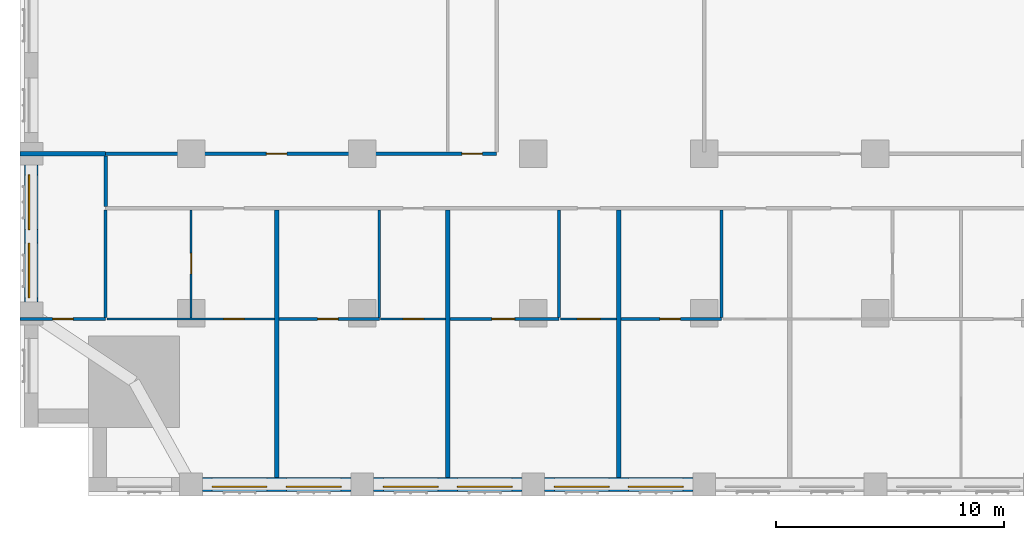
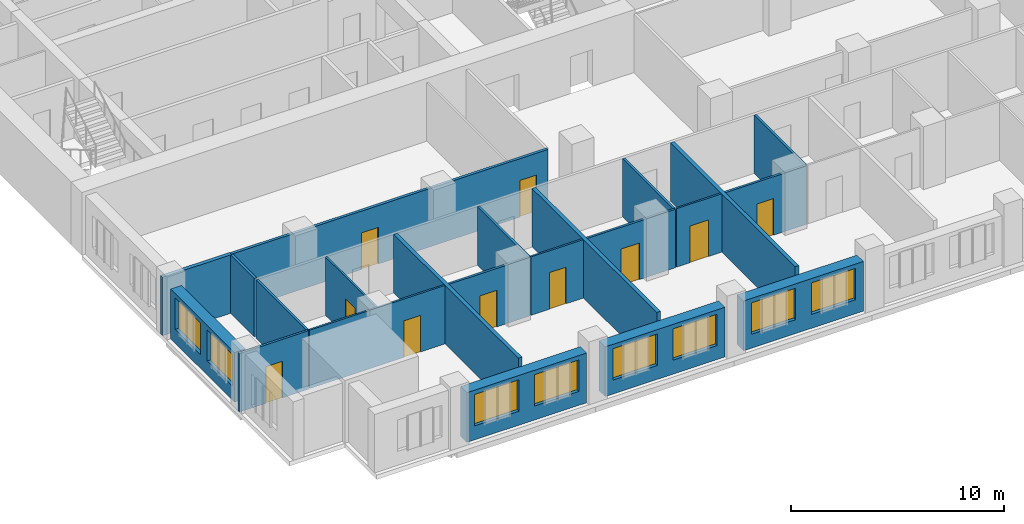
# One storey, part 4 of 14: 22 walls, 10 doors, 8 windows, 18 openings.
"""IFC4 building model written with IfcOpenShell, lengths in metres."""

from ifc_helpers import new_model, si_unit, direction, frame, frame_2d, origin, place, context, subcontext, project, spatial, rectangle, extrude, material, layer, layer_set, type_object, element, fill, save


model = new_model("IFC4")

# Units and contexts
model_context = context("Model", 3, precision=1e-05, world=origin(), true_north=direction((0.0, 1.0)))
body_context = subcontext(model_context, "Body", "Model", "MODEL_VIEW")
ifc_project = project(units=[si_unit("LENGTHUNIT", "METRE"), si_unit("AREAUNIT", "SQUARE_METRE"), si_unit("VOLUMEUNIT", "CUBIC_METRE"), si_unit("PLANEANGLEUNIT", "RADIAN"), si_unit("MASSUNIT", "GRAM", prefix="KILO")], contexts=[model_context])

# Site, building, storey
site_placement = place(None, origin())
site = spatial("IfcSite", under=ifc_project, at=site_placement, CompositionType="ELEMENT")
building_placement = place(site_placement, origin())
building = spatial("IfcBuilding", under=site, at=building_placement, Name="Tamorin Gate", CompositionType="ELEMENT")
storey_placement = place(building_placement, frame((0.0, 0.0, 66.39990234375)))
storey = spatial("IfcBuildingStorey", under=building, at=storey_placement, Name="L15", CompositionType="ELEMENT", Elevation=66.39990234375)

# Wall, openings, windows
ifc_material_1 = material(Name="Precast concrete C40/50", Category="concrete")
ifc_layer_1 = layer(ifc_material_1, 0.60009765625)
ifc_layer_set_1 = layer_set([ifc_layer_1], Name="Precast concrete C40/50")
wall_type_1 = type_object("IfcWallType", Name="Board-marked concrete facade panel 600", PredefinedType="SOLIDWALL", material=ifc_layer_set_1)
wall_1_placement = place(storey_placement, frame((38.0, 38.0, 0.0), z_axis=(0.0, 0.0, 1.0), x_axis=(1.0, 0.0, 0.0)))
wall_1 = element("IfcWall", 1, at=wall_1_placement, inside=storey, type_object=wall_type_1, Name="Facade panel", PredefinedType="SOLIDWALL", context=body_context, shape_type="SweptSolid", body=[
    extrude(rectangle(XDim=6.5, YDim=0.60009765625, at=frame_2d((3.25, 0.0))), origin(), (0.0, 0.0, 1.0), 2.85009765625),
])
opening_1_placement = place(wall_1_placement, frame((0.425048828125, 0.0, 0.800048828125)))
opening_1 = element("IfcOpeningElement", 2, at=opening_1_placement, cuts=wall_1, Name="Opening WN1", PredefinedType="OPENING", context=body_context, shape_type="SweptSolid", body=[
    extrude(rectangle(XDim=2.39990234375, YDim=1.800048828125, at=frame_2d((1.199951171875, 0.89990234375))), frame((0.0, 0.31005859375, 0.0), z_axis=(0.0, -1.0, 0.0), x_axis=(1.0, 0.0, 0.0)), (0.0, 0.0, 1.0), 0.6201171875),
])
opening_2_placement = place(wall_1_placement, frame((3.675048828125, 0.0, 0.800048828125)))
opening_2 = element("IfcOpeningElement", 3, at=opening_2_placement, cuts=wall_1, Name="Opening WN1", PredefinedType="OPENING", context=body_context, shape_type="SweptSolid", body=[
    extrude(rectangle(XDim=2.39990234375, YDim=1.800048828125, at=frame_2d((1.199951171875, 0.89990234375))), frame((0.0, 0.31005859375, 0.0), z_axis=(0.0, -1.0, 0.0), x_axis=(1.0, 0.0, 0.0)), (0.0, 0.0, 1.0), 0.6201171875),
])
ifc_material_2 = material(Name="Clear glass in aluminium frame", Category="aluminium")
window_type = type_object("IfcWindowType", Name="Deep-set window 2400x1800", PartitioningType="SINGLE_PANEL", PredefinedType="WINDOW", material=ifc_material_2)
window_1_placement = place(opening_1_placement, origin())
window_1 = element("IfcWindow", 4, at=window_1_placement, inside=storey, type_object=window_type, Name="Deep-set window", OverallHeight=1.800048828125, OverallWidth=2.39990234375, PartitioningType="SINGLE_PANEL", PredefinedType="WINDOW", context=body_context, shape_type="SweptSolid", body=[
    extrude(rectangle(XDim=2.39990234375, YDim=1.800048828125, at=frame_2d((1.199951171875, 0.89990234375))), frame((0.0, -0.070068359375, 0.0), z_axis=(0.0, -1.0, 0.0), x_axis=(1.0, 0.0, 0.0)), (0.0, 0.0, 1.0), 0.06005859375),
])
fill(opening_1, window_1)
window_2_placement = place(opening_2_placement, origin())
window_2 = element("IfcWindow", 5, at=window_2_placement, inside=storey, type_object=window_type, Name="Deep-set window", OverallHeight=1.800048828125, OverallWidth=2.39990234375, PartitioningType="SINGLE_PANEL", PredefinedType="WINDOW", context=body_context, shape_type="SweptSolid", body=[
    extrude(rectangle(XDim=2.39990234375, YDim=1.800048828125, at=frame_2d((1.199951171875, 0.89990234375))), frame((0.0, -0.070068359375, 0.0), z_axis=(0.0, -1.0, 0.0), x_axis=(1.0, 0.0, 0.0)), (0.0, 0.0, 1.0), 0.06005859375),
])
fill(opening_2, window_2)

wall_2_placement = place(storey_placement, frame((45.5, 38.0, 0.0), z_axis=(0.0, 0.0, 1.0), x_axis=(1.0, 0.0, 0.0)))
wall_2 = element("IfcWall", 6, at=wall_2_placement, inside=storey, type_object=wall_type_1, Name="Facade panel", PredefinedType="SOLIDWALL", context=body_context, shape_type="SweptSolid", body=[
    extrude(rectangle(XDim=6.5, YDim=0.60009765625, at=frame_2d((3.25, 0.0))), origin(), (0.0, 0.0, 1.0), 2.85009765625),
])
opening_3_placement = place(wall_2_placement, frame((0.425048828125, 0.0, 0.800048828125)))
opening_3 = element("IfcOpeningElement", 7, at=opening_3_placement, cuts=wall_2, Name="Opening WN1", PredefinedType="OPENING", context=body_context, shape_type="SweptSolid", body=[
    extrude(rectangle(XDim=2.39990234375, YDim=1.800048828125, at=frame_2d((1.199951171875, 0.89990234375))), frame((0.0, 0.31005859375, 0.0), z_axis=(0.0, -1.0, 0.0), x_axis=(1.0, 0.0, 0.0)), (0.0, 0.0, 1.0), 0.6201171875),
])
opening_4_placement = place(wall_2_placement, frame((3.675048828125, 0.0, 0.800048828125)))
opening_4 = element("IfcOpeningElement", 8, at=opening_4_placement, cuts=wall_2, Name="Opening WN1", PredefinedType="OPENING", context=body_context, shape_type="SweptSolid", body=[
    extrude(rectangle(XDim=2.39990234375, YDim=1.800048828125, at=frame_2d((1.199951171875, 0.89990234375))), frame((0.0, 0.31005859375, 0.0), z_axis=(0.0, -1.0, 0.0), x_axis=(1.0, 0.0, 0.0)), (0.0, 0.0, 1.0), 0.6201171875),
])
window_3_placement = place(opening_3_placement, origin())
window_3 = element("IfcWindow", 9, at=window_3_placement, inside=storey, type_object=window_type, Name="Deep-set window", OverallHeight=1.800048828125, OverallWidth=2.39990234375, PartitioningType="SINGLE_PANEL", PredefinedType="WINDOW", context=body_context, shape_type="SweptSolid", body=[
    extrude(rectangle(XDim=2.39990234375, YDim=1.800048828125, at=frame_2d((1.199951171875, 0.89990234375))), frame((0.0, -0.070068359375, 0.0), z_axis=(0.0, -1.0, 0.0), x_axis=(1.0, 0.0, 0.0)), (0.0, 0.0, 1.0), 0.06005859375),
])
fill(opening_3, window_3)
window_4_placement = place(opening_4_placement, origin())
window_4 = element("IfcWindow", 10, at=window_4_placement, inside=storey, type_object=window_type, Name="Deep-set window", OverallHeight=1.800048828125, OverallWidth=2.39990234375, PartitioningType="SINGLE_PANEL", PredefinedType="WINDOW", context=body_context, shape_type="SweptSolid", body=[
    extrude(rectangle(XDim=2.39990234375, YDim=1.800048828125, at=frame_2d((1.199951171875, 0.89990234375))), frame((0.0, -0.070068359375, 0.0), z_axis=(0.0, -1.0, 0.0), x_axis=(1.0, 0.0, 0.0)), (0.0, 0.0, 1.0), 0.06005859375),
])
fill(opening_4, window_4)

wall_3_placement = place(storey_placement, frame((53.0, 38.0, 0.0), z_axis=(0.0, 0.0, 1.0), x_axis=(1.0, 0.0, 0.0)))
wall_3 = element("IfcWall", 11, at=wall_3_placement, inside=storey, type_object=wall_type_1, Name="Facade panel", PredefinedType="SOLIDWALL", context=body_context, shape_type="SweptSolid", body=[
    extrude(rectangle(XDim=6.5, YDim=0.60009765625, at=frame_2d((3.25, 0.0))), origin(), (0.0, 0.0, 1.0), 2.85009765625),
])
opening_5_placement = place(wall_3_placement, frame((0.425048828125, 0.0, 0.800048828125)))
opening_5 = element("IfcOpeningElement", 12, at=opening_5_placement, cuts=wall_3, Name="Opening WN1", PredefinedType="OPENING", context=body_context, shape_type="SweptSolid", body=[
    extrude(rectangle(XDim=2.39990234375, YDim=1.800048828125, at=frame_2d((1.199951171875, 0.89990234375))), frame((0.0, 0.31005859375, 0.0), z_axis=(0.0, -1.0, 0.0), x_axis=(1.0, 0.0, 0.0)), (0.0, 0.0, 1.0), 0.6201171875),
])
opening_6_placement = place(wall_3_placement, frame((3.675048828125, 0.0, 0.800048828125)))
opening_6 = element("IfcOpeningElement", 13, at=opening_6_placement, cuts=wall_3, Name="Opening WN1", PredefinedType="OPENING", context=body_context, shape_type="SweptSolid", body=[
    extrude(rectangle(XDim=2.39990234375, YDim=1.800048828125, at=frame_2d((1.199951171875, 0.89990234375))), frame((0.0, 0.31005859375, 0.0), z_axis=(0.0, -1.0, 0.0), x_axis=(1.0, 0.0, 0.0)), (0.0, 0.0, 1.0), 0.6201171875),
])
window_5_placement = place(opening_5_placement, origin())
window_5 = element("IfcWindow", 14, at=window_5_placement, inside=storey, type_object=window_type, Name="Deep-set window", OverallHeight=1.800048828125, OverallWidth=2.39990234375, PartitioningType="SINGLE_PANEL", PredefinedType="WINDOW", context=body_context, shape_type="SweptSolid", body=[
    extrude(rectangle(XDim=2.39990234375, YDim=1.800048828125, at=frame_2d((1.199951171875, 0.89990234375))), frame((0.0, -0.070068359375, 0.0), z_axis=(0.0, -1.0, 0.0), x_axis=(1.0, 0.0, 0.0)), (0.0, 0.0, 1.0), 0.06005859375),
])
fill(opening_5, window_5)
window_6_placement = place(opening_6_placement, origin())
window_6 = element("IfcWindow", 15, at=window_6_placement, inside=storey, type_object=window_type, Name="Deep-set window", OverallHeight=1.800048828125, OverallWidth=2.39990234375, PartitioningType="SINGLE_PANEL", PredefinedType="WINDOW", context=body_context, shape_type="SweptSolid", body=[
    extrude(rectangle(XDim=2.39990234375, YDim=1.800048828125, at=frame_2d((1.199951171875, 0.89990234375))), frame((0.0, -0.070068359375, 0.0), z_axis=(0.0, -1.0, 0.0), x_axis=(1.0, 0.0, 0.0)), (0.0, 0.0, 1.0), 0.06005859375),
])
fill(opening_6, window_6)

wall_4_placement = place(storey_placement, frame((30.5, 52.0, 0.0), z_axis=(0.0, 0.0, 1.0), x_axis=(0.0, -1.0, 0.0)))
wall_4 = element("IfcWall", 16, at=wall_4_placement, inside=storey, type_object=wall_type_1, Name="Facade panel", PredefinedType="SOLIDWALL", context=body_context, shape_type="SweptSolid", body=[
    extrude(rectangle(XDim=6.0, YDim=0.60009765625, at=frame_2d((3.0, 0.0))), origin(), (0.0, 0.0, 1.0), 2.85009765625),
])
opening_7_placement = place(wall_4_placement, frame((3.425048828125, 0.0, 0.800048828125)))
opening_7 = element("IfcOpeningElement", 17, at=opening_7_placement, cuts=wall_4, Name="Opening WN1", PredefinedType="OPENING", context=body_context, shape_type="SweptSolid", body=[
    extrude(rectangle(XDim=2.39990234375, YDim=1.800048828125, at=frame_2d((1.199951171875, 0.89990234375))), frame((0.0, 0.31005859375, 0.0), z_axis=(0.0, -1.0, 0.0), x_axis=(1.0, 0.0, 0.0)), (0.0, 0.0, 1.0), 0.6201171875),
])
opening_8_placement = place(wall_4_placement, frame((0.425048828125, 0.0, 0.800048828125)))
opening_8 = element("IfcOpeningElement", 18, at=opening_8_placement, cuts=wall_4, Name="Opening WN1", PredefinedType="OPENING", context=body_context, shape_type="SweptSolid", body=[
    extrude(rectangle(XDim=2.39990234375, YDim=1.800048828125, at=frame_2d((1.199951171875, 0.89990234375))), frame((0.0, 0.31005859375, 0.0), z_axis=(0.0, -1.0, 0.0), x_axis=(1.0, 0.0, 0.0)), (0.0, 0.0, 1.0), 0.6201171875),
])
window_7_placement = place(opening_7_placement, origin())
window_7 = element("IfcWindow", 19, at=window_7_placement, inside=storey, type_object=window_type, Name="Deep-set window", OverallHeight=1.800048828125, OverallWidth=2.39990234375, PartitioningType="SINGLE_PANEL", PredefinedType="WINDOW", context=body_context, shape_type="SweptSolid", body=[
    extrude(rectangle(XDim=2.39990234375, YDim=1.800048828125, at=frame_2d((1.199951171875, 0.89990234375))), frame((0.0, -0.070068359375, 0.0), z_axis=(0.0, -1.0, 0.0), x_axis=(1.0, 0.0, 0.0)), (0.0, 0.0, 1.0), 0.06005859375),
])
fill(opening_7, window_7)
window_8_placement = place(opening_8_placement, origin())
window_8 = element("IfcWindow", 20, at=window_8_placement, inside=storey, type_object=window_type, Name="Deep-set window", OverallHeight=1.800048828125, OverallWidth=2.39990234375, PartitioningType="SINGLE_PANEL", PredefinedType="WINDOW", context=body_context, shape_type="SweptSolid", body=[
    extrude(rectangle(XDim=2.39990234375, YDim=1.800048828125, at=frame_2d((1.199951171875, 0.89990234375))), frame((0.0, -0.070068359375, 0.0), z_axis=(0.0, -1.0, 0.0), x_axis=(1.0, 0.0, 0.0)), (0.0, 0.0, 1.0), 0.06005859375),
])
fill(opening_8, window_8)

# Wall, openings, doors
ifc_material_3 = material(Name="Gypsum board partition")
ifc_layer_2 = layer(ifc_material_3, 0.14990234375)
ifc_layer_set_2 = layer_set([ifc_layer_2], Name="Corridor wall 150")
wall_type_2 = type_object("IfcWallType", Name="Corridor wall 150", PredefinedType="PARTITIONING", material=ifc_layer_set_2)
wall_5_placement = place(storey_placement, frame((33.75, 52.5, 0.0), z_axis=(0.0, 0.0, 1.0), x_axis=(1.0, 0.0, 0.0)))
wall_5 = element("IfcWall", 21, at=wall_5_placement, inside=storey, type_object=wall_type_2, Name="Corridor wall 150", PredefinedType="PARTITIONING", context=body_context, shape_type="SweptSolid", body=[
    extrude(rectangle(XDim=17.14990234375, YDim=0.14990234375, at=frame_2d((8.574951171875, 0.0))), origin(), (0.0, 0.0, 1.0), 3.35009765625),
])
opening_9_placement = place(wall_5_placement, frame((7.050048828125, 0.0, 0.0)))
opening_9 = element("IfcOpeningElement", 22, at=opening_9_placement, cuts=wall_5, Name="Opening DH2067", PredefinedType="OPENING", context=body_context, shape_type="SweptSolid", body=[
    extrude(rectangle(XDim=0.89990234375, YDim=2.10009765625, at=frame_2d((0.449951171875, 1.050048828125))), frame((0.0, 0.0849609375, 0.0), z_axis=(0.0, -1.0, 0.0), x_axis=(1.0, 0.0, 0.0)), (0.0, 0.0, 1.0), 0.169921875),
])
opening_10_placement = place(wall_5_placement, frame((15.625, 0.0, 0.0)))
opening_10 = element("IfcOpeningElement", 23, at=opening_10_placement, cuts=wall_5, Name="Opening DH2068", PredefinedType="OPENING", context=body_context, shape_type="SweptSolid", body=[
    extrude(rectangle(XDim=0.89990234375, YDim=2.10009765625, at=frame_2d((0.449951171875, 1.050048828125))), frame((0.0, 0.0849609375, 0.0), z_axis=(0.0, -1.0, 0.0), x_axis=(1.0, 0.0, 0.0)), (0.0, 0.0, 1.0), 0.169921875),
])
ifc_material_4 = material(Name="Timber door leaf", Category="wood")
door_type_1 = type_object("IfcDoorType", Name="Door 900 x 2100 FD30S", OperationType="NOTDEFINED", PredefinedType="DOOR", material=ifc_material_4)
door_1_placement = place(opening_9_placement, origin())
door_1 = element("IfcDoor", 24, at=door_1_placement, inside=storey, type_object=door_type_1, Name="Door DH2067", OperationType="SINGLE_SWING_LEFT", OverallHeight=2.10009765625, OverallWidth=0.89990234375, PredefinedType="DOOR", context=body_context, shape_type="SweptSolid", body=[
    extrude(rectangle(XDim=0.89990234375, YDim=2.10009765625, at=frame_2d((0.449951171875, 1.050048828125))), frame((0.0, 0.02490234375, 0.0), z_axis=(0.0, -1.0, 0.0), x_axis=(1.0, 0.0, 0.0)), (0.0, 0.0, 1.0), 0.050048828125),
])
fill(opening_9, door_1)
door_2_placement = place(opening_10_placement, origin())
door_2 = element("IfcDoor", 25, at=door_2_placement, inside=storey, type_object=door_type_1, Name="Door DH2068", OperationType="SINGLE_SWING_LEFT", OverallHeight=2.10009765625, OverallWidth=0.89990234375, PredefinedType="DOOR", context=body_context, shape_type="SweptSolid", body=[
    extrude(rectangle(XDim=0.89990234375, YDim=2.10009765625, at=frame_2d((0.449951171875, 1.050048828125))), frame((0.0, 0.02490234375, 0.0), z_axis=(0.0, -1.0, 0.0), x_axis=(1.0, 0.0, 0.0)), (0.0, 0.0, 1.0), 0.050048828125),
])
fill(opening_10, door_2)

# Walls
wall_6_placement = place(storey_placement, frame((33.75, 50.175048828125, 0.0), z_axis=(0.0, 0.0, 1.0), x_axis=(0.0, 1.0, 0.0)))
element("IfcWall", 26, at=wall_6_placement, inside=storey, type_object=wall_type_2, Name="Corridor wall 150", PredefinedType="PARTITIONING", context=body_context, shape_type="SweptSolid", body=[
    extrude(rectangle(XDim=2.224853515625, YDim=0.14990234375, at=frame_2d((1.1123046875, 0.0))), origin(), (0.0, 0.0, 1.0), 3.35009765625),
])
ifc_layer_3 = layer(ifc_material_3, 0.199951171875)
ifc_layer_set_3 = layer_set([ifc_layer_3], Name="Demising wall 200")
wall_type_3 = type_object("IfcWallType", Name="Demising wall 200", PredefinedType="PARTITIONING", material=ifc_layer_set_3)
wall_7_placement = place(storey_placement, frame((30.0, 52.5, 0.0), z_axis=(0.0, 0.0, 1.0), x_axis=(1.0, 0.0, 0.0)))
element("IfcWall", 27, at=wall_7_placement, inside=storey, type_object=wall_type_3, Name="Demising wall 200", PredefinedType="PARTITIONING", context=body_context, shape_type="SweptSolid", body=[
    extrude(rectangle(XDim=3.75, YDim=0.199951171875, at=frame_2d((1.875, 0.0))), origin(), (0.0, 0.0, 1.0), 3.35009765625),
])
for number, where, z_axis, x_axis, name in (
    (28, (41.25, 38.31005859375, 0.0), (0.0, 0.0, 1.0), (0.0, 1.0, 0.0), "Demising wall 200"),
    (29, (48.75, 38.31005859375, 0.0), (0.0, 0.0, 1.0), (0.0, 1.0, 0.0), "Demising wall 200"),
    (30, (56.25, 38.31005859375, 0.0), (0.0, 0.0, 1.0), (0.0, 1.0, 0.0), "Demising wall 200"),
):
    element("IfcWall", number, at=place(storey_placement, frame(where, z_axis=z_axis, x_axis=x_axis)), inside=storey, type_object=wall_type_3, Name=name, PredefinedType="PARTITIONING", context=body_context, shape_type="SweptSolid", body=[
        extrude(rectangle(XDim=11.71484375, YDim=0.199951171875, at=frame_2d((5.857421875, 0.0))), origin(), (0.0, 0.0, 1.0), 3.35009765625),
    ])

# Wall, opening, door
ifc_layer_4 = layer(ifc_material_3, 0.10009765625)
ifc_layer_set_4 = layer_set([ifc_layer_4], Name="Room partition 100")
wall_type_4 = type_object("IfcWallType", Name="Room partition 100", PredefinedType="PARTITIONING", material=ifc_layer_set_4)
wall_8_placement = place(storey_placement, frame((33.8125, 45.25, 0.0), z_axis=(0.0, 0.0, 1.0), x_axis=(1.0, 0.0, 0.0)))
wall_8 = element("IfcWall", 31, at=wall_8_placement, inside=storey, type_object=wall_type_4, Name="Room partition 100", PredefinedType="PARTITIONING", context=body_context, shape_type="SweptSolid", body=[
    extrude(rectangle(XDim=7.33740234375, YDim=0.10009765625, at=frame_2d((3.668701171875, 0.0))), origin(), (0.0, 0.0, 1.0), 3.35009765625),
])
opening_11_placement = place(wall_8_placement, frame((5.112548828125, 0.0, 0.0)))
opening_11 = element("IfcOpeningElement", 32, at=opening_11_placement, cuts=wall_8, Name="Opening DH2004", PredefinedType="OPENING", context=body_context, shape_type="SweptSolid", body=[
    extrude(rectangle(XDim=0.89990234375, YDim=2.10009765625, at=frame_2d((0.449951171875, 1.050048828125))), frame((0.0, 0.06005859375, 0.0), z_axis=(0.0, -1.0, 0.0), x_axis=(1.0, 0.0, 0.0)), (0.0, 0.0, 1.0), 0.1201171875),
])
door_type_2 = type_object("IfcDoorType", Name="Door 900 x 2100", OperationType="NOTDEFINED", PredefinedType="DOOR", material=ifc_material_4)
door_3_placement = place(opening_11_placement, origin())
door_3 = element("IfcDoor", 33, at=door_3_placement, inside=storey, type_object=door_type_2, Name="Door DH2004", OperationType="SINGLE_SWING_LEFT", OverallHeight=2.10009765625, OverallWidth=0.89990234375, PredefinedType="DOOR", context=body_context, shape_type="SweptSolid", body=[
    extrude(rectangle(XDim=0.89990234375, YDim=2.10009765625, at=frame_2d((0.449951171875, 1.050048828125))), frame((0.0, 0.02490234375, 0.0), z_axis=(0.0, -1.0, 0.0), x_axis=(1.0, 0.0, 0.0)), (0.0, 0.0, 1.0), 0.050048828125),
])
fill(opening_11, door_3)

wall_9_placement = place(storey_placement, frame((45.8125, 45.25, 0.0), z_axis=(0.0, 0.0, 1.0), x_axis=(1.0, 0.0, 0.0)))
wall_9 = element("IfcWall", 34, at=wall_9_placement, inside=storey, type_object=wall_type_4, Name="Room partition 100", PredefinedType="PARTITIONING", context=body_context, shape_type="SweptSolid", body=[
    extrude(rectangle(XDim=2.83740234375, YDim=0.10009765625, at=frame_2d((1.418701171875, 0.0))), origin(), (0.0, 0.0, 1.0), 3.35009765625),
])
opening_12_placement = place(wall_9_placement, frame((0.987548828125, 0.0, 0.0)))
opening_12 = element("IfcOpeningElement", 35, at=opening_12_placement, cuts=wall_9, Name="Opening DH2007", PredefinedType="OPENING", context=body_context, shape_type="SweptSolid", body=[
    extrude(rectangle(XDim=0.89990234375, YDim=2.10009765625, at=frame_2d((0.449951171875, 1.050048828125))), frame((0.0, 0.06005859375, 0.0), z_axis=(0.0, -1.0, 0.0), x_axis=(1.0, 0.0, 0.0)), (0.0, 0.0, 1.0), 0.1201171875),
])
door_4_placement = place(opening_12_placement, origin())
door_4 = element("IfcDoor", 36, at=door_4_placement, inside=storey, type_object=door_type_2, Name="Door DH2007", OperationType="SINGLE_SWING_LEFT", OverallHeight=2.10009765625, OverallWidth=0.89990234375, PredefinedType="DOOR", context=body_context, shape_type="SweptSolid", body=[
    extrude(rectangle(XDim=0.89990234375, YDim=2.10009765625, at=frame_2d((0.449951171875, 1.050048828125))), frame((0.0, 0.02490234375, 0.0), z_axis=(0.0, -1.0, 0.0), x_axis=(1.0, 0.0, 0.0)), (0.0, 0.0, 1.0), 0.050048828125),
])
fill(opening_12, door_4)

wall_10_placement = place(storey_placement, frame((53.6875, 45.25, 0.0), z_axis=(0.0, 0.0, 1.0), x_axis=(1.0, 0.0, 0.0)))
wall_10 = element("IfcWall", 37, at=wall_10_placement, inside=storey, type_object=wall_type_4, Name="Room partition 100", PredefinedType="PARTITIONING", context=body_context, shape_type="SweptSolid", body=[
    extrude(rectangle(XDim=2.46240234375, YDim=0.10009765625, at=frame_2d((1.231201171875, 0.0))), origin(), (0.0, 0.0, 1.0), 3.35009765625),
])
opening_13_placement = place(wall_10_placement, frame((0.75, 0.0, 0.0)))
opening_13 = element("IfcOpeningElement", 38, at=opening_13_placement, cuts=wall_10, Name="Opening DH2010", PredefinedType="OPENING", context=body_context, shape_type="SweptSolid", body=[
    extrude(rectangle(XDim=1.0, YDim=2.10009765625, at=frame_2d((0.5, 1.050048828125))), frame((0.0, 0.06005859375, 0.0), z_axis=(0.0, -1.0, 0.0), x_axis=(1.0, 0.0, 0.0)), (0.0, 0.0, 1.0), 0.1201171875),
])
door_type_3 = type_object("IfcDoorType", Name="Door 1000 x 2100", OperationType="NOTDEFINED", PredefinedType="DOOR", material=ifc_material_4)
door_5_placement = place(opening_13_placement, origin())
door_5 = element("IfcDoor", 39, at=door_5_placement, inside=storey, type_object=door_type_3, Name="Door DH2010", OperationType="SINGLE_SWING_LEFT", OverallHeight=2.10009765625, OverallWidth=1.0, PredefinedType="DOOR", context=body_context, shape_type="SweptSolid", body=[
    extrude(rectangle(XDim=1.0, YDim=2.10009765625, at=frame_2d((0.5, 1.050048828125))), frame((0.0, 0.02490234375, 0.0), z_axis=(0.0, -1.0, 0.0), x_axis=(1.0, 0.0, 0.0)), (0.0, 0.0, 1.0), 0.050048828125),
])
fill(opening_13, door_5)

wall_11_placement = place(storey_placement, frame((37.5, 45.300048828125, 0.0), z_axis=(0.0, 0.0, 1.0), x_axis=(0.0, 1.0, 0.0)))
wall_11 = element("IfcWall", 40, at=wall_11_placement, inside=storey, type_object=wall_type_4, Name="Room partition 100", PredefinedType="PARTITIONING", context=body_context, shape_type="SweptSolid", body=[
    extrude(rectangle(XDim=4.724853515625, YDim=0.10009765625, at=frame_2d((2.3623046875, 0.0))), origin(), (0.0, 0.0, 1.0), 3.35009765625),
])
opening_14_placement = place(wall_11_placement, frame((1.925048828125, 0.0, 0.0)))
opening_14 = element("IfcOpeningElement", 41, at=opening_14_placement, cuts=wall_11, Name="Opening DH2002", PredefinedType="OPENING", context=body_context, shape_type="SweptSolid", body=[
    extrude(rectangle(XDim=0.89990234375, YDim=2.10009765625, at=frame_2d((0.449951171875, 1.050048828125))), frame((0.0, 0.06005859375, 0.0), z_axis=(0.0, -1.0, 0.0), x_axis=(1.0, 0.0, 0.0)), (0.0, 0.0, 1.0), 0.1201171875),
])
door_6_placement = place(opening_14_placement, origin())
door_6 = element("IfcDoor", 42, at=door_6_placement, inside=storey, type_object=door_type_2, Name="Door DH2002", OperationType="SINGLE_SWING_RIGHT", OverallHeight=2.10009765625, OverallWidth=0.89990234375, PredefinedType="DOOR", context=body_context, shape_type="SweptSolid", body=[
    extrude(rectangle(XDim=0.89990234375, YDim=2.10009765625, at=frame_2d((0.449951171875, 1.050048828125))), frame((0.0, 0.02490234375, 0.0), z_axis=(0.0, -1.0, 0.0), x_axis=(1.0, 0.0, 0.0)), (0.0, 0.0, 1.0), 0.050048828125),
])
fill(opening_14, door_6)

ifc_layer_5 = layer(ifc_material_3, 0.125)
ifc_layer_set_5 = layer_set([ifc_layer_5], Name="Wet wall 125")
wall_type_5 = type_object("IfcWallType", Name="Wet wall 125", PredefinedType="PARTITIONING", material=ifc_layer_set_5)
wall_12_placement = place(storey_placement, frame((30.0, 45.25, 0.0), z_axis=(0.0, 0.0, 1.0), x_axis=(1.0, 0.0, 0.0)))
wall_12 = element("IfcWall", 43, at=wall_12_placement, inside=storey, type_object=wall_type_5, Name="Wet wall 125", PredefinedType="PARTITIONING", context=body_context, shape_type="SweptSolid", body=[
    extrude(rectangle(XDim=3.75, YDim=0.125, at=frame_2d((1.875, 0.0))), origin(), (0.0, 0.0, 1.0), 3.35009765625),
])
opening_15_placement = place(wall_12_placement, frame((1.425048828125, 0.0, 0.0)))
opening_15 = element("IfcOpeningElement", 44, at=opening_15_placement, cuts=wall_12, Name="Opening DH2001", PredefinedType="OPENING", context=body_context, shape_type="SweptSolid", body=[
    extrude(rectangle(XDim=0.89990234375, YDim=2.10009765625, at=frame_2d((0.449951171875, 1.050048828125))), frame((0.0, 0.072509765625, 0.0), z_axis=(0.0, -1.0, 0.0), x_axis=(1.0, 0.0, 0.0)), (0.0, 0.0, 1.0), 0.14501953125),
])
door_7_placement = place(opening_15_placement, origin())
door_7 = element("IfcDoor", 45, at=door_7_placement, inside=storey, type_object=door_type_2, Name="Door DH2001", OperationType="SINGLE_SWING_LEFT", OverallHeight=2.10009765625, OverallWidth=0.89990234375, PredefinedType="DOOR", context=body_context, shape_type="SweptSolid", body=[
    extrude(rectangle(XDim=0.89990234375, YDim=2.10009765625, at=frame_2d((0.449951171875, 1.050048828125))), frame((0.0, 0.02490234375, 0.0), z_axis=(0.0, -1.0, 0.0), x_axis=(1.0, 0.0, 0.0)), (0.0, 0.0, 1.0), 0.050048828125),
])
fill(opening_15, door_7)

wall_13_placement = place(storey_placement, frame((41.35009765625, 45.25, 0.0), z_axis=(0.0, 0.0, 1.0), x_axis=(1.0, 0.0, 0.0)))
wall_13 = element("IfcWall", 46, at=wall_13_placement, inside=storey, type_object=wall_type_5, Name="Wet wall 125", PredefinedType="PARTITIONING", context=body_context, shape_type="SweptSolid", body=[
    extrude(rectangle(XDim=4.39990234375, YDim=0.125, at=frame_2d((2.199951171875, 0.0))), origin(), (0.0, 0.0, 1.0), 3.35009765625),
])
opening_16_placement = place(wall_13_placement, frame((1.699951171875, 0.0, 0.0)))
opening_16 = element("IfcOpeningElement", 47, at=opening_16_placement, cuts=wall_13, Name="Opening DH2005", PredefinedType="OPENING", context=body_context, shape_type="SweptSolid", body=[
    extrude(rectangle(XDim=0.89990234375, YDim=2.10009765625, at=frame_2d((0.449951171875, 1.050048828125))), frame((0.0, 0.072509765625, 0.0), z_axis=(0.0, -1.0, 0.0), x_axis=(1.0, 0.0, 0.0)), (0.0, 0.0, 1.0), 0.14501953125),
])
door_8_placement = place(opening_16_placement, origin())
door_8 = element("IfcDoor", 48, at=door_8_placement, inside=storey, type_object=door_type_2, Name="Door DH2005", OperationType="SINGLE_SWING_LEFT", OverallHeight=2.10009765625, OverallWidth=0.89990234375, PredefinedType="DOOR", context=body_context, shape_type="SweptSolid", body=[
    extrude(rectangle(XDim=0.89990234375, YDim=2.10009765625, at=frame_2d((0.449951171875, 1.050048828125))), frame((0.0, 0.02490234375, 0.0), z_axis=(0.0, -1.0, 0.0), x_axis=(1.0, 0.0, 0.0)), (0.0, 0.0, 1.0), 0.050048828125),
])
fill(opening_16, door_8)

wall_14_placement = place(storey_placement, frame((48.85009765625, 45.25, 0.0), z_axis=(0.0, 0.0, 1.0), x_axis=(1.0, 0.0, 0.0)))
wall_14 = element("IfcWall", 49, at=wall_14_placement, inside=storey, type_object=wall_type_5, Name="Wet wall 125", PredefinedType="PARTITIONING", context=body_context, shape_type="SweptSolid", body=[
    extrude(rectangle(XDim=4.77490234375, YDim=0.125, at=frame_2d((2.387451171875, 0.0))), origin(), (0.0, 0.0, 1.0), 3.35009765625),
])
opening_17_placement = place(wall_14_placement, frame((1.83740234375, 0.0, 0.0)))
opening_17 = element("IfcOpeningElement", 50, at=opening_17_placement, cuts=wall_14, Name="Opening DH2008", PredefinedType="OPENING", context=body_context, shape_type="SweptSolid", body=[
    extrude(rectangle(XDim=1.0, YDim=2.10009765625, at=frame_2d((0.5, 1.050048828125))), frame((0.0, 0.072509765625, 0.0), z_axis=(0.0, -1.0, 0.0), x_axis=(1.0, 0.0, 0.0)), (0.0, 0.0, 1.0), 0.14501953125),
])
door_9_placement = place(opening_17_placement, origin())
door_9 = element("IfcDoor", 51, at=door_9_placement, inside=storey, type_object=door_type_3, Name="Door DH2008", OperationType="SINGLE_SWING_LEFT", OverallHeight=2.10009765625, OverallWidth=1.0, PredefinedType="DOOR", context=body_context, shape_type="SweptSolid", body=[
    extrude(rectangle(XDim=1.0, YDim=2.10009765625, at=frame_2d((0.5, 1.050048828125))), frame((0.0, 0.02490234375, 0.0), z_axis=(0.0, -1.0, 0.0), x_axis=(1.0, 0.0, 0.0)), (0.0, 0.0, 1.0), 0.050048828125),
])
fill(opening_17, door_9)

wall_15_placement = place(storey_placement, frame((56.35009765625, 45.25, 0.0), z_axis=(0.0, 0.0, 1.0), x_axis=(1.0, 0.0, 0.0)))
wall_15 = element("IfcWall", 52, at=wall_15_placement, inside=storey, type_object=wall_type_5, Name="Wet wall 125", PredefinedType="PARTITIONING", context=body_context, shape_type="SweptSolid", body=[
    extrude(rectangle(XDim=4.39990234375, YDim=0.125, at=frame_2d((2.199951171875, 0.0))), origin(), (0.0, 0.0, 1.0), 3.35009765625),
])
opening_18_placement = place(wall_15_placement, frame((1.699951171875, 0.0, 0.0)))
opening_18 = element("IfcOpeningElement", 53, at=opening_18_placement, cuts=wall_15, Name="Opening DH2011", PredefinedType="OPENING", context=body_context, shape_type="SweptSolid", body=[
    extrude(rectangle(XDim=0.89990234375, YDim=2.10009765625, at=frame_2d((0.449951171875, 1.050048828125))), frame((0.0, 0.072509765625, 0.0), z_axis=(0.0, -1.0, 0.0), x_axis=(1.0, 0.0, 0.0)), (0.0, 0.0, 1.0), 0.14501953125),
])
door_10_placement = place(opening_18_placement, origin())
door_10 = element("IfcDoor", 54, at=door_10_placement, inside=storey, type_object=door_type_2, Name="Door DH2011", OperationType="SINGLE_SWING_LEFT", OverallHeight=2.10009765625, OverallWidth=0.89990234375, PredefinedType="DOOR", context=body_context, shape_type="SweptSolid", body=[
    extrude(rectangle(XDim=0.89990234375, YDim=2.10009765625, at=frame_2d((0.449951171875, 1.050048828125))), frame((0.0, 0.02490234375, 0.0), z_axis=(0.0, -1.0, 0.0), x_axis=(1.0, 0.0, 0.0)), (0.0, 0.0, 1.0), 0.050048828125),
])
fill(opening_18, door_10)

# Walls
for number, where, z_axis, x_axis, name in (
    (55, (33.75, 45.3125, 0.0), (0.0, 0.0, 1.0), (0.0, 1.0, 0.0), "Wet wall 125"),
    (56, (45.75, 45.3125, 0.0), (0.0, 0.0, 1.0), (0.0, 1.0, 0.0), "Wet wall 125"),
    (57, (53.625, 45.3125, 0.0), (0.0, 0.0, 1.0), (0.0, 1.0, 0.0), "Wet wall 125"),
    (58, (60.75, 45.3125, 0.0), (0.0, 0.0, 1.0), (0.0, 1.0, 0.0), "Wet wall 125"),
):
    element("IfcWall", number, at=place(storey_placement, frame(where, z_axis=z_axis, x_axis=x_axis)), inside=storey, type_object=wall_type_5, Name=name, PredefinedType="PARTITIONING", context=body_context, shape_type="SweptSolid", body=[
        extrude(rectangle(XDim=4.71240234375, YDim=0.125, at=frame_2d((2.356201171875, 0.0))), origin(), (0.0, 0.0, 1.0), 3.35009765625),
    ])

save(model, "model.ifc")
